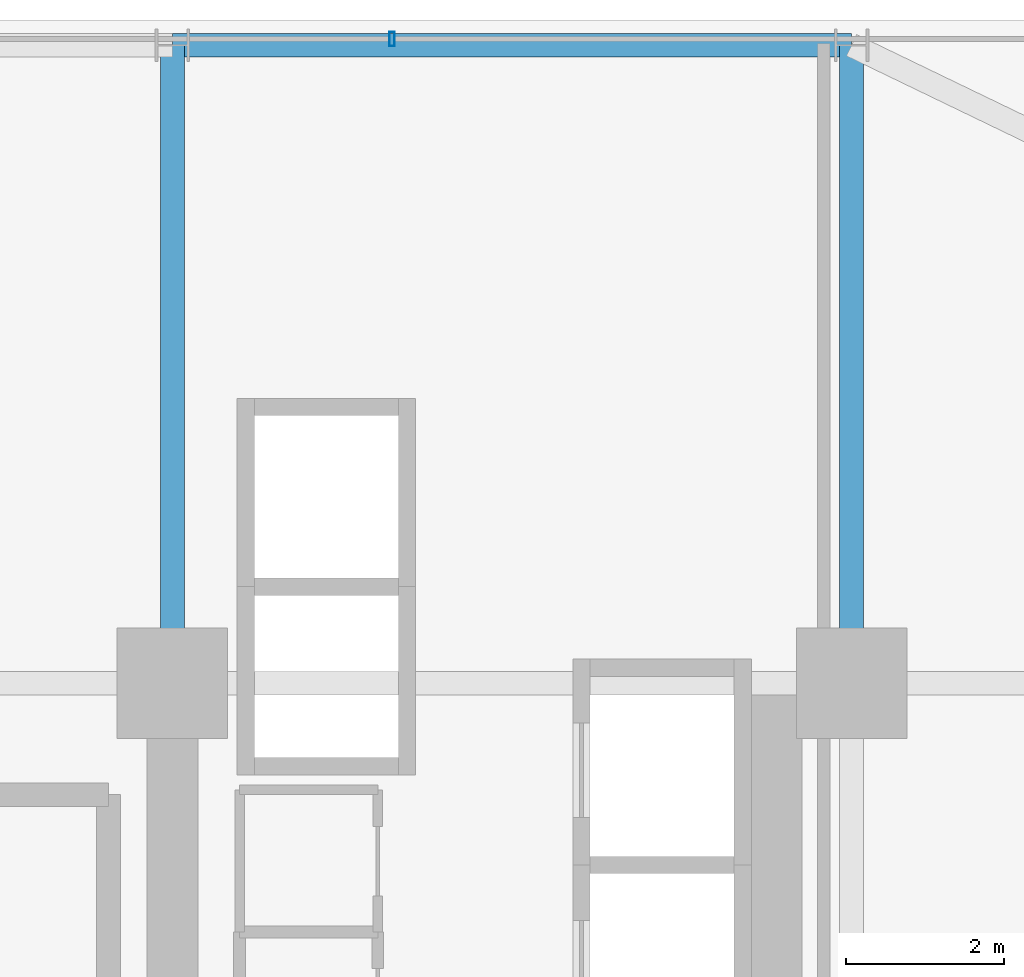
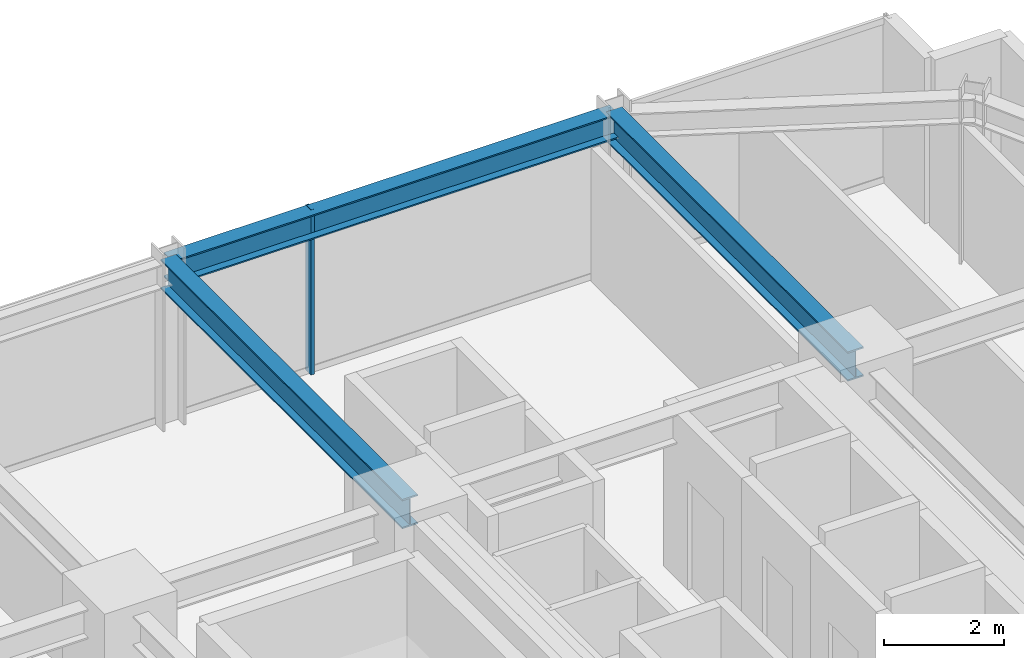
# One storey, part 26 of 36: 3 beams, 1 member, 1 element without a shape of its own.
"""IFC4 building model written with IfcOpenShell, lengths in metres."""

from ifc_helpers import new_model, si_unit, direction, frame, origin, origin_2d, place, context, subcontext, project, spatial, hollow_rectangle, i_section, extrude, source, transform, mapped, material, material_profile, profile_set, type_object, element, aggregate, save


model = new_model("IFC4")

# Units and contexts
model_context = context("Model", 3, precision=1e-05, world=origin(), true_north=direction((0.0, 1.0)))
body_context = subcontext(model_context, "Body", "Model", "MODEL_VIEW")
ifc_project = project(units=[si_unit("LENGTHUNIT", "METRE"), si_unit("AREAUNIT", "SQUARE_METRE"), si_unit("VOLUMEUNIT", "CUBIC_METRE"), si_unit("PLANEANGLEUNIT", "RADIAN"), si_unit("MASSUNIT", "GRAM", prefix="KILO")], contexts=[model_context])

# Site, building, storey
site_placement = place(None, origin())
site = spatial("IfcSite", under=ifc_project, at=site_placement, CompositionType="ELEMENT")
building_placement = place(site_placement, origin())
building = spatial("IfcBuilding", under=site, at=building_placement, Name="Nahalor Promenade Grand Hotel", CompositionType="ELEMENT")
storey_placement = place(building_placement, frame((0.0, 0.0, 72.550048828125)))
storey = spatial("IfcBuildingStorey", under=building, at=storey_placement, Name="L17", CompositionType="ELEMENT", Elevation=72.550048828125)

# Beams
ifc_material_1 = material(Name="Steel S355JR", Category="steel")
ifc_material_profile_1 = material_profile(ifc_material_1, i_section(OverallWidth=0.3, OverallDepth=0.5, WebThickness=0.0145, FlangeThickness=0.028, at=origin_2d()), Name="HEB 500")
ifc_profile_set_1 = profile_set([ifc_material_profile_1], Name="Steel S355JR")
beam_type_1 = type_object("IfcBeamType", Name="Beam-Spandrel-HEB500", PredefinedType="SPANDREL", material=ifc_profile_set_1)
shared_shape_1 = source(origin(), body_context, "Body", "SweptSolid", [
    extrude(i_section(OverallWidth=0.3, OverallDepth=0.5, WebThickness=0.0145, FlangeThickness=0.028, at=origin_2d()), origin(), (0.0, 0.0, 1.0), 8.60009765625),
])
beam_placement = place(storey_placement, frame((8.39990234375, 25.080078125, 3.119873046875), z_axis=(1.0, 0.0, 0.0), x_axis=(0.0, 1.0, 0.0)))
element("IfcBeam", 1, at=beam_placement, inside=storey, type_object=beam_type_1, Name="BM-L17-SP-N-4", PredefinedType="SPANDREL", context=body_context, shape_type="MappedRepresentation", body=[
    mapped(shared_shape_1, transform((0.0, 0.0, 0.0), scale=1.0)),
])
ifc_material_profile_2 = material_profile(ifc_material_1, i_section(OverallWidth=0.3, OverallDepth=0.6, WebThickness=0.0155, FlangeThickness=0.03, at=origin_2d()), Name="HEB 600")
ifc_profile_set_2 = profile_set([ifc_material_profile_2], Name="Steel S355JR")
beam_type_2 = type_object("IfcBeamType", Name="Beam-Girder-HEB600", PredefinedType="BEAM", material=ifc_profile_set_2)
shared_shape_2 = source(origin(), body_context, "Body", "SweptSolid", [
    extrude(i_section(OverallWidth=0.3, OverallDepth=0.6, WebThickness=0.0155, FlangeThickness=0.03, at=origin_2d()), origin(), (0.0, 0.0, 1.0), 8.080078125),
])
for number, where, z_axis, x_axis, name in (
    (2, (8.39990234375, 17.0, 3.070068359375), (0.0, 1.0, 0.0), (-1.0, 0.0, 0.0), "BM-L17-GY-4-4"),
    (3, (17.0, 17.0, 3.070068359375), (0.0, 1.0, 0.0), (-1.0, 0.0, 0.0), "BM-L17-GY-5-4"),
):
    element("IfcBeam", number, at=place(storey_placement, frame(where, z_axis=z_axis, x_axis=x_axis)), inside=storey, type_object=beam_type_2, Name=name, PredefinedType="BEAM", context=body_context, shape_type="MappedRepresentation", body=[
        mapped(shared_shape_2, transform((0.0, 0.0, 0.0), scale=1.0)),
    ])

# Curtain wall, member
ifc_material_2 = material(Name="Anodised Bronze Aluminium EN AW-6063 T6", Category="aluminium")
curtain_wall_type = type_object("IfcCurtainWallType", Name="CW2 Typical Hotel Flush Bronze Unitised Curtain Wall", PredefinedType="USERDEFINED", material=ifc_material_2)
curtain_wall_placement = place(storey_placement, origin())
curtain_wall = element("IfcCurtainWall", 4, at=curtain_wall_placement, inside=storey, type_object=curtain_wall_type, Name="L17 Curtain Wall CW-L17-N-1", ObjectType="UNITISED_CURTAIN_WALL", PredefinedType="USERDEFINED")
ifc_material_profile_3 = material_profile(ifc_material_2, hollow_rectangle(XDim=0.065, YDim=0.18, WallThickness=0.004, at=origin_2d()), Name="CWM 65x180x4")
ifc_profile_set_3 = profile_set([ifc_material_profile_3], Name="Anodised Bronze Aluminium EN AW-6063 T6")
member_type = type_object("IfcMemberType", Name="CWM2 Typical Bronze Mullion 65x180", PredefinedType="MULLION", material=ifc_profile_set_3)
shared_shape_3 = source(origin(), body_context, "Body", "SweptSolid", [
    extrude(hollow_rectangle(XDim=0.065, YDim=0.18, WallThickness=0.004, at=origin_2d()), origin(), (0.0, 0.0, 1.0), 3.369873046875),
])
member_placement = place(storey_placement, frame((11.179931640625, 25.159912109375, 0.0), z_axis=(0.0, 0.0, 1.0), x_axis=(1.0, 0.0, 0.0)))
member = element("IfcMember", 5, at=member_placement, type_object=member_type, Name="CW-L17-N-1 Mullion 3", PredefinedType="MULLION", context=body_context, shape_type="MappedRepresentation", body=[
    mapped(shared_shape_3, transform((0.0, 0.0, 0.0), scale=1.0)),
])
aggregate(curtain_wall, [member])

save(model, "model.ifc")
